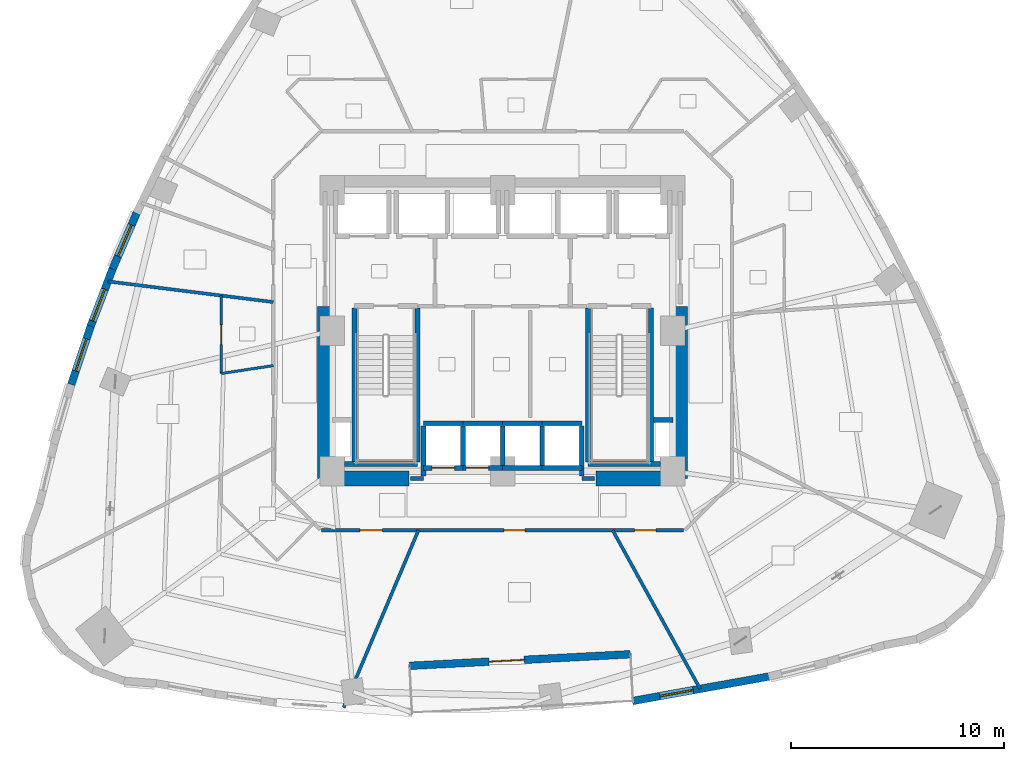
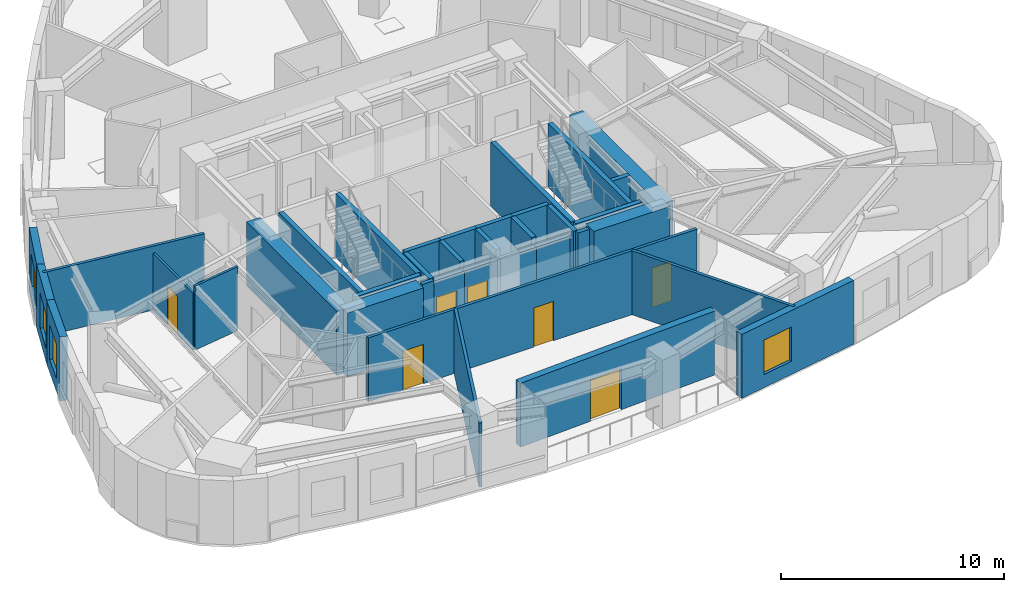
# One storey, part 5 of 11: 37 walls, 7 doors, 4 windows, 11 openings.
"""IFC4 building model written with IfcOpenShell, lengths in metres."""

from ifc_helpers import new_model, si_unit, direction, frame, frame_2d, origin, place, context, subcontext, project, spatial, rectangle, extrude, material, layer, layer_set, type_object, element, fill, save


model = new_model("IFC4")

# Units and contexts
model_context = context("Model", 3, precision=1e-05, world=origin(), true_north=direction((0.0, 1.0)))
body_context = subcontext(model_context, "Body", "Model", "MODEL_VIEW")
ifc_project = project(units=[si_unit("LENGTHUNIT", "METRE"), si_unit("AREAUNIT", "SQUARE_METRE"), si_unit("VOLUMEUNIT", "CUBIC_METRE"), si_unit("PLANEANGLEUNIT", "RADIAN"), si_unit("MASSUNIT", "GRAM", prefix="KILO")], contexts=[model_context])

# Site, building, storey
site_placement = place(None, origin())
site = spatial("IfcSite", under=ifc_project, at=site_placement, CompositionType="ELEMENT")
building_placement = place(site_placement, origin())
building = spatial("IfcBuilding", under=site, at=building_placement, Name="Ndelora Gate Hotel", CompositionType="ELEMENT")
storey_placement = place(building_placement, frame((0.0, 0.0, 41.75)))
storey = spatial("IfcBuildingStorey", under=building, at=storey_placement, Name="L09", CompositionType="ELEMENT", Elevation=41.75)

# Wall, opening, door
ifc_material_1 = material(Name="Clay Brick Masonry", Category="masonry")
ifc_layer_1 = layer(ifc_material_1, 0.360107421875)
ifc_layer_set_1 = layer_set([ifc_layer_1], Name="Clay Brick Masonry")
wall_type_1 = type_object("IfcWallType", Name="WL-BRICK-360", PredefinedType="SOLIDWALL", material=ifc_layer_set_1)
wall_1_placement = place(storey_placement, frame((6.004150390625, -15.20849609375, 0.0), z_axis=(0.0, 0.0, 1.0), x_axis=(-0.998630058509, -0.052325961458, 0.0)))
wall_1 = element("IfcWall", 1, at=wall_1_placement, inside=storey, type_object=wall_type_1, Name="L09 Sky-Garden Loggia Rear Brick Wall", PredefinedType="SOLIDWALL", context=body_context, shape_type="SweptSolid", body=[
    extrude(rectangle(XDim=10.39990234375, YDim=0.360107421875, at=frame_2d((5.199951171875, 0.0))), origin(), (0.0, 0.0, 1.0), 3.5),
])
opening_1_placement = place(wall_1_placement, frame((5.0, 0.0, 0.0)))
opening_1 = element("IfcOpeningElement", 2, at=opening_1_placement, cuts=wall_1, Name="Opening TD1", PredefinedType="OPENING", context=body_context, shape_type="SweptSolid", body=[
    extrude(rectangle(XDim=1.64990234375, YDim=2.25, at=frame_2d((0.824951171875, 1.125))), frame((0.0, 0.18994140625, 0.0), z_axis=(0.0, -1.0, 0.0), x_axis=(1.0, 0.0, 0.0)), (0.0, 0.0, 1.0), 0.380126953125),
])
ifc_material_2 = material(Name="Architectural Bronze Glazed Door", Category="metal")
door_type_1 = type_object("IfcDoorType", Name="DR-TER-1650", OperationType="DOUBLE_DOOR_SINGLE_SWING", PredefinedType="DOOR", material=ifc_material_2)
door_1_placement = place(opening_1_placement, origin())
door_1 = element("IfcDoor", 3, at=door_1_placement, inside=storey, type_object=door_type_1, Name="L09 Sky-Garden Terrace Double Door TD1", OperationType="DOUBLE_DOOR_SINGLE_SWING", OverallHeight=2.25, OverallWidth=1.64990234375, PredefinedType="DOOR", context=body_context, shape_type="SweptSolid", body=[
    extrude(rectangle(XDim=1.64990234375, YDim=2.25, at=frame_2d((0.824951171875, 1.125))), frame((0.0, 0.02490234375, 0.0), z_axis=(0.0, -1.0, 0.0), x_axis=(1.0, 0.0, 0.0)), (0.0, 0.0, 1.0), 0.050048828125),
])
fill(opening_1, door_1)

# Wall, opening, window
wall_2_placement = place(storey_placement, frame((-18.340576171875, 2.8994140625, 0.0), z_axis=(0.0, 0.0, 1.0), x_axis=(0.396050960204, 0.918228531969, 0.0)))
wall_2 = element("IfcWall", 4, at=wall_2_placement, inside=storey, type_object=wall_type_1, Name="L09 Tower Brick Pier-and-Spandrel Wall TWR-16", PredefinedType="SOLIDWALL", context=body_context, shape_type="SweptSolid", body=[
    extrude(rectangle(XDim=2.9150390625, YDim=0.360107421875, at=frame_2d((1.45751953125, 0.0))), origin(), (0.0, 0.0, 1.0), 3.5),
])
opening_2_placement = place(wall_2_placement, frame((0.657470703125, 0.0, 0.719970703125)))
opening_2 = element("IfcOpeningElement", 5, at=opening_2_placement, cuts=wall_2, Name="Opening W01", PredefinedType="OPENING", context=body_context, shape_type="SweptSolid", body=[
    extrude(rectangle(XDim=1.60009765625, YDim=1.8798828125, at=frame_2d((0.800048828125, 0.93994140625))), frame((0.0, 0.18994140625, 0.0), z_axis=(0.0, -1.0, 0.0), x_axis=(1.0, 0.0, 0.0)), (0.0, 0.0, 1.0), 0.380126953125),
])
ifc_material_3 = material(Name="Insulated Low-E Double Glazing in Bronze Aluminium Frame", Category="aluminium")
window_type_1 = type_object("IfcWindowType", Name="WN-DEEP-1600", PartitioningType="SINGLE_PANEL", PredefinedType="WINDOW", material=ifc_material_3)
window_1_placement = place(opening_2_placement, origin())
window_1 = element("IfcWindow", 6, at=window_1_placement, inside=storey, type_object=window_type_1, Name="L09 Deep-Set Brick-Pier Window W01", OverallHeight=1.8798828125, OverallWidth=1.60009765625, PartitioningType="SINGLE_PANEL", PredefinedType="WINDOW", context=body_context, shape_type="SweptSolid", body=[
    extrude(rectangle(XDim=1.60009765625, YDim=1.8798828125, at=frame_2d((0.800048828125, 0.93994140625))), frame((0.0, 0.030029296875, 0.0), z_axis=(0.0, -1.0, 0.0), x_axis=(1.0, 0.0, 0.0)), (0.0, 0.0, 1.0), 0.06005859375),
])
fill(opening_2, window_1)

wall_3_placement = place(storey_placement, frame((-19.365234375, 0.212890625, 0.0), z_axis=(0.0, 0.0, 1.0), x_axis=(0.356696268282, 0.934220408787, 0.0)))
wall_3 = element("IfcWall", 7, at=wall_3_placement, inside=storey, type_object=wall_type_1, Name="L09 Tower Brick Pier-and-Spandrel Wall TWR-17", PredefinedType="SOLIDWALL", context=body_context, shape_type="SweptSolid", body=[
    extrude(rectangle(XDim=2.92529296875, YDim=0.360107421875, at=frame_2d((1.462646484375, 0.0))), origin(), (0.0, 0.0, 1.0), 3.5),
])
opening_3_placement = place(wall_3_placement, frame((0.260009765625, 0.0, 0.719970703125)))
opening_3 = element("IfcOpeningElement", 8, at=opening_3_placement, cuts=wall_3, Name="Opening W03", PredefinedType="OPENING", context=body_context, shape_type="SweptSolid", body=[
    extrude(rectangle(XDim=1.60009765625, YDim=1.8798828125, at=frame_2d((0.800048828125, 0.93994140625))), frame((0.0, 0.18994140625, 0.0), z_axis=(0.0, -1.0, 0.0), x_axis=(1.0, 0.0, 0.0)), (0.0, 0.0, 1.0), 0.380126953125),
])
window_type_2 = type_object("IfcWindowType", Name="WN-CORN-2100", PartitioningType="SINGLE_PANEL", PredefinedType="WINDOW", material=ifc_material_3)
window_2_placement = place(opening_3_placement, origin())
window_2 = element("IfcWindow", 9, at=window_2_placement, inside=storey, type_object=window_type_2, Name="L09 Deep-Set Brick-Pier Window W03", OverallHeight=1.8798828125, OverallWidth=1.60009765625, PartitioningType="SINGLE_PANEL", PredefinedType="WINDOW", context=body_context, shape_type="SweptSolid", body=[
    extrude(rectangle(XDim=1.60009765625, YDim=1.8798828125, at=frame_2d((0.800048828125, 0.93994140625))), frame((0.0, 0.030029296875, 0.0), z_axis=(0.0, -1.0, 0.0), x_axis=(1.0, 0.0, 0.0)), (0.0, 0.0, 1.0), 0.06005859375),
])
fill(opening_3, window_2)

wall_4_placement = place(storey_placement, frame((-20.281005859375, -2.529052734375, 0.0), z_axis=(0.0, 0.0, 1.0), x_axis=(0.317124206319, 0.948384013871, 0.0)))
wall_4 = element("IfcWall", 10, at=wall_4_placement, inside=storey, type_object=wall_type_1, Name="L09 Tower Brick Pier-and-Spandrel Wall TWR-18", PredefinedType="SOLIDWALL", context=body_context, shape_type="SweptSolid", body=[
    extrude(rectangle(XDim=2.94091796875, YDim=0.360107421875, at=frame_2d((1.470458984375, 0.0))), origin(), (0.0, 0.0, 1.0), 3.5),
])
opening_4_placement = place(wall_4_placement, frame((0.67041015625, 0.0, 0.719970703125)))
opening_4 = element("IfcOpeningElement", 11, at=opening_4_placement, cuts=wall_4, Name="Opening W01", PredefinedType="OPENING", context=body_context, shape_type="SweptSolid", body=[
    extrude(rectangle(XDim=1.60009765625, YDim=1.8798828125, at=frame_2d((0.800048828125, 0.93994140625))), frame((0.0, 0.18994140625, 0.0), z_axis=(0.0, -1.0, 0.0), x_axis=(1.0, 0.0, 0.0)), (0.0, 0.0, 1.0), 0.380126953125),
])
window_3_placement = place(opening_4_placement, origin())
window_3 = element("IfcWindow", 12, at=window_3_placement, inside=storey, type_object=window_type_1, Name="L09 Deep-Set Brick-Pier Window W01", OverallHeight=1.8798828125, OverallWidth=1.60009765625, PartitioningType="SINGLE_PANEL", PredefinedType="WINDOW", context=body_context, shape_type="SweptSolid", body=[
    extrude(rectangle(XDim=1.60009765625, YDim=1.8798828125, at=frame_2d((0.800048828125, 0.93994140625))), frame((0.0, 0.030029296875, 0.0), z_axis=(0.0, -1.0, 0.0), x_axis=(1.0, 0.0, 0.0)), (0.0, 0.0, 1.0), 0.06005859375),
])
fill(opening_4, window_3)

wall_5_placement = place(storey_placement, frame((12.55712890625, -16.24853515625, 0.0), z_axis=(0.0, 0.0, 1.0), x_axis=(-0.984232555833, -0.176879269667, 0.0)))
wall_5 = element("IfcWall", 13, at=wall_5_placement, inside=storey, type_object=wall_type_1, Name="L09 Tower Brick Pier-and-Spandrel Wall TWR-36", PredefinedType="SOLIDWALL", context=body_context, shape_type="SweptSolid", body=[
    extrude(rectangle(XDim=6.56591796875, YDim=0.360107421875, at=frame_2d((3.282958984375, 0.0))), origin(), (0.0, 0.0, 1.0), 3.5),
])
opening_5_placement = place(wall_5_placement, frame((3.659912109375, 0.0, 0.719970703125)))
opening_5 = element("IfcOpeningElement", 14, at=opening_5_placement, cuts=wall_5, Name="Opening W01", PredefinedType="OPENING", context=body_context, shape_type="SweptSolid", body=[
    extrude(rectangle(XDim=1.60009765625, YDim=1.8798828125, at=frame_2d((0.800048828125, 0.93994140625))), frame((0.0, 0.18994140625, 0.0), z_axis=(0.0, -1.0, 0.0), x_axis=(1.0, 0.0, 0.0)), (0.0, 0.0, 1.0), 0.380126953125),
])
window_4_placement = place(opening_5_placement, origin())
window_4 = element("IfcWindow", 15, at=window_4_placement, inside=storey, type_object=window_type_1, Name="L09 Deep-Set Brick-Pier Window W01", OverallHeight=1.8798828125, OverallWidth=1.60009765625, PartitioningType="SINGLE_PANEL", PredefinedType="WINDOW", context=body_context, shape_type="SweptSolid", body=[
    extrude(rectangle(XDim=1.60009765625, YDim=1.8798828125, at=frame_2d((0.800048828125, 0.93994140625))), frame((0.0, 0.030029296875, 0.0), z_axis=(0.0, -1.0, 0.0), x_axis=(1.0, 0.0, 0.0)), (0.0, 0.0, 1.0), 0.06005859375),
])
fill(opening_5, window_4)

# Walls
ifc_material_4 = material(Name="Concrete C60/75", Category="concrete")
ifc_layer_2 = layer(ifc_material_4, 0.699951171875)
ifc_layer_set_2 = layer_set([ifc_layer_2], Name="Concrete C60/75")
wall_type_2 = type_object("IfcWallType", Name="WL-CORE-700", PredefinedType="SHEAR", material=ifc_layer_set_2)
for number, where, z_axis, x_axis, name in (
    (16, (-8.35009765625, -6.949951171875, 0.0), (0.0, 0.0, 1.0), (1.0, 0.0, 0.0), "L09 Core Shear Wall S-W"),
    (17, (4.39990234375, -6.949951171875, 0.0), (0.0, 0.0, 1.0), (1.0, 0.0, 0.0), "L09 Core Shear Wall S-E"),
):
    element("IfcWall", number, at=place(storey_placement, frame(where, z_axis=z_axis, x_axis=x_axis)), inside=storey, type_object=wall_type_2, Name=name, PredefinedType="SHEAR", context=body_context, shape_type="SweptSolid", body=[
        extrude(rectangle(XDim=3.9501953125, YDim=0.699951171875, at=frame_2d((1.97509765625, 0.0))), origin(), (0.0, 0.0, 1.0), 3.5),
    ])
for number, where, z_axis, x_axis, name in (
    (18, (-8.35009765625, -6.949951171875, 0.0), (0.0, 0.0, 1.0), (0.0, 1.0, 0.0), "L09 Core Shear Wall W"),
    (19, (8.35009765625, -6.949951171875, 0.0), (0.0, 0.0, 1.0), (0.0, 1.0, 0.0), "L09 Core Shear Wall E"),
):
    element("IfcWall", number, at=place(storey_placement, frame(where, z_axis=z_axis, x_axis=x_axis)), inside=storey, type_object=wall_type_2, Name=name, PredefinedType="SHEAR", context=body_context, shape_type="SweptSolid", body=[
        extrude(rectangle(XDim=8.099853515625, YDim=0.699951171875, at=frame_2d((4.0498046875, 0.0))), origin(), (0.0, 0.0, 1.0), 3.5),
    ])
ifc_material_5 = material(Name="Concrete C40/50", Category="concrete")
ifc_layer_3 = layer(ifc_material_5, 0.199951171875)
ifc_layer_set_3 = layer_set([ifc_layer_3], Name="Concrete C40/50")
wall_type_3 = type_object("IfcWallType", Name="WL-FIRE-200", PredefinedType="PARTITIONING", material=ifc_layer_set_3)
for number, where, z_axis, x_axis, name in (
    (20, (-4.320068359375, -6.949951171875, 0.0), (0.0, 0.0, 1.0), (1.0, 0.0, 0.0), "L09 Interior Wall IW-2"),
    (21, (3.719970703125, -6.949951171875, 0.0), (0.0, 0.0, 1.0), (1.0, 0.0, 0.0), "L09 Interior Wall IW-2"),
):
    element("IfcWall", number, at=place(storey_placement, frame(where, z_axis=z_axis, x_axis=x_axis)), inside=storey, type_object=wall_type_3, Name=name, PredefinedType="PARTITIONING", context=body_context, shape_type="SweptSolid", body=[
        extrude(rectangle(XDim=0.60009765625, YDim=0.199951171875, at=frame_2d((0.300048828125, 0.0))), origin(), (0.0, 0.0, 1.0), 3.5),
    ])

# Wall, openings, doors
ifc_material_6 = material(Name="Fire-Rated Gypsum Stud Partition", Category="gypsum")
ifc_layer_4 = layer(ifc_material_6, 0.14990234375)
ifc_layer_set_4 = layer_set([ifc_layer_4], Name="Fire-Rated Gypsum Stud Partition")
wall_type_4 = type_object("IfcWallType", Name="WL-PART-150", PredefinedType="PARTITIONING", material=ifc_layer_set_4)
wall_6_placement = place(storey_placement, frame((8.510009765625, -9.3798828125, 0.0), z_axis=(0.0, 0.0, 1.0), x_axis=(-1.0, 0.0, 0.0)))
wall_6 = element("IfcWall", 22, at=wall_6_placement, inside=storey, type_object=wall_type_4, Name="L09 Interior Wall IW-5", PredefinedType="PARTITIONING", context=body_context, shape_type="SweptSolid", body=[
    extrude(rectangle(XDim=17.02001953125, YDim=0.14990234375, at=frame_2d((8.510009765625, 0.0))), origin(), (0.0, 0.0, 1.0), 3.5),
])
opening_6_placement = place(wall_6_placement, frame((7.44775390625, 0.0, 0.0)))
opening_6 = element("IfcOpeningElement", 23, at=opening_6_placement, cuts=wall_6, Name="Opening D01", PredefinedType="OPENING", context=body_context, shape_type="SweptSolid", body=[
    extrude(rectangle(XDim=1.0, YDim=2.14990234375, at=frame_2d((0.5, 1.074951171875))), frame((0.0, 0.0849609375, 0.0), z_axis=(0.0, -1.0, 0.0), x_axis=(1.0, 0.0, 0.0)), (0.0, 0.0, 1.0), 0.169921875),
])
opening_7_placement = place(wall_6_placement, frame((1.30859375, 0.0, 0.0)))
opening_7 = element("IfcOpeningElement", 24, at=opening_7_placement, cuts=wall_6, Name="Opening D01", PredefinedType="OPENING", context=body_context, shape_type="SweptSolid", body=[
    extrude(rectangle(XDim=1.0, YDim=2.14990234375, at=frame_2d((0.5, 1.074951171875))), frame((0.0, 0.0849609375, 0.0), z_axis=(0.0, -1.0, 0.0), x_axis=(1.0, 0.0, 0.0)), (0.0, 0.0, 1.0), 0.169921875),
])
opening_8_placement = place(wall_6_placement, frame((14.163818359375, 0.0, 0.0)))
opening_8 = element("IfcOpeningElement", 25, at=opening_8_placement, cuts=wall_6, Name="Opening D07", PredefinedType="OPENING", context=body_context, shape_type="SweptSolid", body=[
    extrude(rectangle(XDim=1.06005859375, YDim=2.14990234375, at=frame_2d((0.530029296875, 1.074951171875))), frame((0.0, 0.0849609375, 0.0), z_axis=(0.0, -1.0, 0.0), x_axis=(1.0, 0.0, 0.0)), (0.0, 0.0, 1.0), 0.169921875),
])
ifc_material_7 = material(Name="Acoustic Hardwood Guest Entrance Door", Category="wood")
door_type_2 = type_object("IfcDoorType", Name="DR-COR-1000", OperationType="SINGLE_SWING_LEFT", PredefinedType="DOOR", material=ifc_material_7)
door_2_placement = place(opening_6_placement, origin())
door_2 = element("IfcDoor", 26, at=door_2_placement, inside=storey, type_object=door_type_2, Name="L09 Sky Garden Tea Dining Room Entrance Door", OperationType="SINGLE_SWING_LEFT", OverallHeight=2.14990234375, OverallWidth=1.0, PredefinedType="DOOR", context=body_context, shape_type="SweptSolid", body=[
    extrude(rectangle(XDim=1.0, YDim=2.14990234375, at=frame_2d((0.5, 1.074951171875))), frame((0.0, 0.02490234375, 0.0), z_axis=(0.0, -1.0, 0.0), x_axis=(1.0, 0.0, 0.0)), (0.0, 0.0, 1.0), 0.050048828125),
])
fill(opening_6, door_2)
door_3_placement = place(opening_7_placement, origin())
door_3 = element("IfcDoor", 27, at=door_3_placement, inside=storey, type_object=door_type_2, Name="L09 Business Study Office Entrance Door", OperationType="SINGLE_SWING_LEFT", OverallHeight=2.14990234375, OverallWidth=1.0, PredefinedType="DOOR", context=body_context, shape_type="SweptSolid", body=[
    extrude(rectangle(XDim=1.0, YDim=2.14990234375, at=frame_2d((0.5, 1.074951171875))), frame((0.0, 0.02490234375, 0.0), z_axis=(0.0, -1.0, 0.0), x_axis=(1.0, 0.0, 0.0)), (0.0, 0.0, 1.0), 0.050048828125),
])
fill(opening_7, door_3)
ifc_material_8 = material(Name="Diplomatic Suite Acoustic Entrance Door", Category="wood")
door_type_3 = type_object("IfcDoorType", Name="DR-SUITE-1060", OperationType="SINGLE_SWING_LEFT", PredefinedType="DOOR", material=ifc_material_8)
door_4_placement = place(opening_8_placement, origin())
door_4 = element("IfcDoor", 28, at=door_4_placement, inside=storey, type_object=door_type_3, Name="L09 Corner Diplomatic Suite 1202 Entrance Door", OperationType="SINGLE_SWING_LEFT", OverallHeight=2.14990234375, OverallWidth=1.06005859375, PredefinedType="DOOR", context=body_context, shape_type="SweptSolid", body=[
    extrude(rectangle(XDim=1.06005859375, YDim=2.14990234375, at=frame_2d((0.530029296875, 1.074951171875))), frame((0.0, 0.02490234375, 0.0), z_axis=(0.0, -1.0, 0.0), x_axis=(1.0, 0.0, 0.0)), (0.0, 0.0, 1.0), 0.050048828125),
])
fill(opening_8, door_4)

# Walls
wall_7_placement = place(storey_placement, frame((-10.780029296875, 1.347412109375, 0.0), z_axis=(0.0, 0.0, 1.0), x_axis=(-0.992276439596, 0.124046230988, 0.0)))
element("IfcWall", 29, at=wall_7_placement, inside=storey, type_object=wall_type_4, Name="L09 Interior Wall IW-5", PredefinedType="PARTITIONING", context=body_context, shape_type="SweptSolid", body=[
    extrude(rectangle(XDim=7.841064453125, YDim=0.14990234375, at=frame_2d((3.92041015625, 0.0))), origin(), (0.0, 0.0, 1.0), 3.5),
])
wall_8_placement = place(storey_placement, frame((-3.95751953125, -9.3798828125, 0.0), z_axis=(0.0, 0.0, 1.0), x_axis=(-0.388727710855, -0.921352683185, 0.0)))
element("IfcWall", 30, at=wall_8_placement, inside=storey, type_object=wall_type_4, Name="L09 Interior Wall IW-5", PredefinedType="PARTITIONING", context=body_context, shape_type="SweptSolid", body=[
    extrude(rectangle(XDim=9.04638671875, YDim=0.14990234375, at=frame_2d((4.523193359375, 0.0))), origin(), (0.0, 0.0, 1.0), 3.5),
])
wall_9_placement = place(storey_placement, frame((5.172607421875, -9.3798828125, 0.0), z_axis=(0.0, 0.0, 1.0), x_axis=(0.482894673272, -0.875678442424, 0.0)))
element("IfcWall", 31, at=wall_9_placement, inside=storey, type_object=wall_type_4, Name="L09 Interior Wall IW-5", PredefinedType="PARTITIONING", context=body_context, shape_type="SweptSolid", body=[
    extrude(rectangle(XDim=8.515380859375, YDim=0.14990234375, at=frame_2d((4.2578125, 0.0))), origin(), (0.0, 0.0, 1.0), 3.5),
])
ifc_layer_5 = layer(ifc_material_5, 0.219970703125)
ifc_layer_set_5 = layer_set([ifc_layer_5], Name="Concrete C40/50")
wall_type_5 = type_object("IfcWallType", Name="WL-SHAFT-220", PredefinedType="PARTITIONING", material=ifc_layer_set_5)
wall_10_placement = place(storey_placement, frame((7.090087890625, -4.199951171875, 0.0), z_axis=(0.0, 0.0, 1.0), x_axis=(1.0, 0.0, 0.0)))
element("IfcWall", 32, at=wall_10_placement, inside=storey, type_object=wall_type_5, Name="L09 Interior Wall IW-1", PredefinedType="PARTITIONING", context=body_context, shape_type="SweptSolid", body=[
    extrude(rectangle(XDim=0.909912109375, YDim=0.219970703125, at=frame_2d((0.455078125, 0.0))), origin(), (0.0, 0.0, 1.0), 3.5),
])

# Wall, opening, door
wall_11_placement = place(storey_placement, frame((-3.719970703125, -6.449951171875, 0.0), z_axis=(0.0, 0.0, 1.0), x_axis=(1.0, 0.0, 0.0)))
wall_11 = element("IfcWall", 33, at=wall_11_placement, inside=storey, type_object=wall_type_5, Name="L09 Interior Wall IW-1", PredefinedType="PARTITIONING", context=body_context, shape_type="SweptSolid", body=[
    extrude(rectangle(XDim=1.85986328125, YDim=0.219970703125, at=frame_2d((0.929931640625, 0.0))), origin(), (0.0, 0.0, 1.0), 3.080078125),
])
opening_9_placement = place(wall_11_placement, frame((0.39990234375, 0.0, 0.0)))
opening_9 = element("IfcOpeningElement", 34, at=opening_9_placement, cuts=wall_11, Name="Opening LD1", PredefinedType="OPENING", context=body_context, shape_type="SweptSolid", body=[
    extrude(rectangle(XDim=1.06005859375, YDim=2.14990234375, at=frame_2d((0.530029296875, 1.074951171875))), frame((0.0, 0.1201171875, 0.0), z_axis=(0.0, -1.0, 0.0), x_axis=(1.0, 0.0, 0.0)), (0.0, 0.0, 1.0), 0.239990234375),
])
ifc_material_9 = material(Name="Brushed Bronze Stainless Lift Landing Door", Category="metal")
door_type_4 = type_object("IfcDoorType", Name="DR-LD1", OperationType="DOUBLE_DOOR_SLIDING", PredefinedType="DOOR", material=ifc_material_9)
door_5_placement = place(opening_9_placement, origin())
door_5 = element("IfcDoor", 35, at=door_5_placement, inside=storey, type_object=door_type_4, Name="L09 Lift Landing Sliding Door P1A", OperationType="DOUBLE_DOOR_SLIDING", OverallHeight=2.14990234375, OverallWidth=1.06005859375, PredefinedType="DOOR", context=body_context, shape_type="SweptSolid", body=[
    extrude(rectangle(XDim=1.06005859375, YDim=2.14990234375, at=frame_2d((0.530029296875, 1.074951171875))), frame((0.0, 0.02490234375, 0.0), z_axis=(0.0, -1.0, 0.0), x_axis=(1.0, 0.0, 0.0)), (0.0, 0.0, 1.0), 0.050048828125),
])
fill(opening_9, door_5)

# Walls
wall_12_placement = place(storey_placement, frame((-3.719970703125, -4.35009765625, 0.0), z_axis=(0.0, 0.0, 1.0), x_axis=(1.0, 0.0, 0.0)))
element("IfcWall", 36, at=wall_12_placement, inside=storey, type_object=wall_type_5, Name="L09 Interior Wall IW-1", PredefinedType="PARTITIONING", context=body_context, shape_type="SweptSolid", body=[
    extrude(rectangle(XDim=1.85986328125, YDim=0.219970703125, at=frame_2d((0.929931640625, 0.0))), origin(), (0.0, 0.0, 1.0), 3.5),
])
wall_13_placement = place(storey_placement, frame((-3.719970703125, -6.830078125, 0.0), z_axis=(0.0, 0.0, 1.0), x_axis=(0.0, 1.0, 0.0)))
element("IfcWall", 37, at=wall_13_placement, inside=storey, type_object=wall_type_5, Name="L09 Interior Wall IW-1", PredefinedType="PARTITIONING", context=body_context, shape_type="SweptSolid", body=[
    extrude(rectangle(XDim=2.360107421875, YDim=0.219970703125, at=frame_2d((1.18017578125, 0.0))), origin(), (0.0, 0.0, 1.0), 3.5),
])
wall_14_placement = place(storey_placement, frame((-1.860107421875, -6.330078125, 0.0), z_axis=(0.0, 0.0, 1.0), x_axis=(0.0, 1.0, 0.0)))
element("IfcWall", 38, at=wall_14_placement, inside=storey, type_object=wall_type_5, Name="L09 Interior Wall IW-1", PredefinedType="PARTITIONING", context=body_context, shape_type="SweptSolid", body=[
    extrude(rectangle(XDim=1.860107421875, YDim=0.219970703125, at=frame_2d((0.93017578125, 0.0))), origin(), (0.0, 0.0, 1.0), 3.5),
])

# Wall, opening, door
wall_15_placement = place(storey_placement, frame((-1.860107421875, -6.449951171875, 0.0), z_axis=(0.0, 0.0, 1.0), x_axis=(1.0, 0.0, 0.0)))
wall_15 = element("IfcWall", 39, at=wall_15_placement, inside=storey, type_object=wall_type_5, Name="L09 Interior Wall IW-1", PredefinedType="PARTITIONING", context=body_context, shape_type="SweptSolid", body=[
    extrude(rectangle(XDim=1.860107421875, YDim=0.219970703125, at=frame_2d((0.93017578125, 0.0))), origin(), (0.0, 0.0, 1.0), 3.080078125),
])
opening_10_placement = place(wall_15_placement, frame((0.139892578125, 0.0, 0.0)))
opening_10 = element("IfcOpeningElement", 40, at=opening_10_placement, cuts=wall_15, Name="Opening LD1", PredefinedType="OPENING", context=body_context, shape_type="SweptSolid", body=[
    extrude(rectangle(XDim=1.06005859375, YDim=2.14990234375, at=frame_2d((0.530029296875, 1.074951171875))), frame((0.0, 0.1201171875, 0.0), z_axis=(0.0, -1.0, 0.0), x_axis=(1.0, 0.0, 0.0)), (0.0, 0.0, 1.0), 0.239990234375),
])
door_6_placement = place(opening_10_placement, origin())
door_6 = element("IfcDoor", 41, at=door_6_placement, inside=storey, type_object=door_type_4, Name="L09 Lift Landing Sliding Door P1B", OperationType="DOUBLE_DOOR_SLIDING", OverallHeight=2.14990234375, OverallWidth=1.06005859375, PredefinedType="DOOR", context=body_context, shape_type="SweptSolid", body=[
    extrude(rectangle(XDim=1.06005859375, YDim=2.14990234375, at=frame_2d((0.530029296875, 1.074951171875))), frame((0.0, 0.02490234375, 0.0), z_axis=(0.0, -1.0, 0.0), x_axis=(1.0, 0.0, 0.0)), (0.0, 0.0, 1.0), 0.050048828125),
])
fill(opening_10, door_6)

# Walls
for number, where, z_axis, x_axis, name in (
    (42, (-1.860107421875, -4.35009765625, 0.0), (0.0, 0.0, 1.0), (1.0, 0.0, 0.0), "L09 Interior Wall IW-1"),
    (43, (0.0, -6.330078125, 0.0), (0.0, 0.0, 1.0), (0.0, 1.0, 0.0), "L09 Interior Wall IW-1"),
):
    element("IfcWall", number, at=place(storey_placement, frame(where, z_axis=z_axis, x_axis=x_axis)), inside=storey, type_object=wall_type_5, Name=name, PredefinedType="PARTITIONING", context=body_context, shape_type="SweptSolid", body=[
        extrude(rectangle(XDim=1.860107421875, YDim=0.219970703125, at=frame_2d((0.93017578125, 0.0))), origin(), (0.0, 0.0, 1.0), 3.5),
    ])
wall_16_placement = place(storey_placement, frame((0.0, -6.449951171875, 0.0), z_axis=(0.0, 0.0, 1.0), x_axis=(1.0, 0.0, 0.0)))
element("IfcWall", 44, at=wall_16_placement, inside=storey, type_object=wall_type_5, Name="L09 Interior Wall IW-1", PredefinedType="PARTITIONING", context=body_context, shape_type="SweptSolid", body=[
    extrude(rectangle(XDim=1.860107421875, YDim=0.219970703125, at=frame_2d((0.93017578125, 0.0))), origin(), (0.0, 0.0, 1.0), 3.080078125),
])
for number, where, z_axis, x_axis, name in (
    (45, (0.0, -4.35009765625, 0.0), (0.0, 0.0, 1.0), (1.0, 0.0, 0.0), "L09 Interior Wall IW-1"),
    (46, (1.860107421875, -6.330078125, 0.0), (0.0, 0.0, 1.0), (0.0, 1.0, 0.0), "L09 Interior Wall IW-1"),
):
    element("IfcWall", number, at=place(storey_placement, frame(where, z_axis=z_axis, x_axis=x_axis)), inside=storey, type_object=wall_type_5, Name=name, PredefinedType="PARTITIONING", context=body_context, shape_type="SweptSolid", body=[
        extrude(rectangle(XDim=1.860107421875, YDim=0.219970703125, at=frame_2d((0.93017578125, 0.0))), origin(), (0.0, 0.0, 1.0), 3.5),
    ])
wall_17_placement = place(storey_placement, frame((1.860107421875, -6.449951171875, 0.0), z_axis=(0.0, 0.0, 1.0), x_axis=(1.0, 0.0, 0.0)))
element("IfcWall", 47, at=wall_17_placement, inside=storey, type_object=wall_type_5, Name="L09 Interior Wall IW-1", PredefinedType="PARTITIONING", context=body_context, shape_type="SweptSolid", body=[
    extrude(rectangle(XDim=1.85986328125, YDim=0.219970703125, at=frame_2d((0.929931640625, 0.0))), origin(), (0.0, 0.0, 1.0), 3.080078125),
])
wall_18_placement = place(storey_placement, frame((1.860107421875, -4.35009765625, 0.0), z_axis=(0.0, 0.0, 1.0), x_axis=(1.0, 0.0, 0.0)))
element("IfcWall", 48, at=wall_18_placement, inside=storey, type_object=wall_type_5, Name="L09 Interior Wall IW-1", PredefinedType="PARTITIONING", context=body_context, shape_type="SweptSolid", body=[
    extrude(rectangle(XDim=1.85986328125, YDim=0.219970703125, at=frame_2d((0.929931640625, 0.0))), origin(), (0.0, 0.0, 1.0), 3.5),
])
wall_19_placement = place(storey_placement, frame((3.719970703125, -6.830078125, 0.0), z_axis=(0.0, 0.0, 1.0), x_axis=(0.0, 1.0, 0.0)))
element("IfcWall", 49, at=wall_19_placement, inside=storey, type_object=wall_type_5, Name="L09 Interior Wall IW-1", PredefinedType="PARTITIONING", context=body_context, shape_type="SweptSolid", body=[
    extrude(rectangle(XDim=2.360107421875, YDim=0.219970703125, at=frame_2d((1.18017578125, 0.0))), origin(), (0.0, 0.0, 1.0), 3.5),
])
ifc_material_10 = material(Name="Concrete C50/60", Category="concrete")
ifc_layer_6 = layer(ifc_material_10, 0.239990234375)
ifc_layer_set_6 = layer_set([ifc_layer_6], Name="Concrete C50/60")
wall_type_6 = type_object("IfcWallType", Name="WL-STAIR-240", PredefinedType="SHEAR", material=ifc_layer_set_6)
wall_20_placement = place(storey_placement, frame((-6.969970703125, -6.159912109375, 0.0), z_axis=(0.0, 0.0, 1.0), x_axis=(0.0, 1.0, 0.0)))
element("IfcWall", 50, at=wall_20_placement, inside=storey, type_object=wall_type_6, Name="L09 Stair Core Shear Wall SW-ST", PredefinedType="SHEAR", context=body_context, shape_type="SweptSolid", body=[
    extrude(rectangle(XDim=7.219970703125, YDim=0.239990234375, at=frame_2d((3.60986328125, 0.0))), origin(), (0.0, 0.0, 1.0), 3.5),
])
wall_21_placement = place(storey_placement, frame((-7.425048828125, -6.27001953125, 0.0), z_axis=(0.0, 0.0, 1.0), x_axis=(1.0, 0.0, 0.0)))
element("IfcWall", 51, at=wall_21_placement, inside=storey, type_object=wall_type_6, Name="L09 Stair Core Shear Wall SW-ST", PredefinedType="SHEAR", context=body_context, shape_type="SweptSolid", body=[
    extrude(rectangle(XDim=3.4150390625, YDim=0.239990234375, at=frame_2d((1.70751953125, 0.0))), origin(), (0.0, 0.0, 1.0), 3.5),
])
for number, where, z_axis, x_axis, name in (
    (52, (-4.010009765625, -6.159912109375, 0.0), (0.0, 0.0, 1.0), (0.0, 1.0, 0.0), "L09 Stair Core Shear Wall SW-ST"),
    (53, (4.010009765625, -6.159912109375, 0.0), (0.0, 0.0, 1.0), (0.0, 1.0, 0.0), "L09 Stair Core Shear Wall SW-ST"),
    (54, (6.969970703125, -6.159912109375, 0.0), (0.0, 0.0, 1.0), (0.0, 1.0, 0.0), "L09 Stair Core Shear Wall SW-ST"),
):
    element("IfcWall", number, at=place(storey_placement, frame(where, z_axis=z_axis, x_axis=x_axis)), inside=storey, type_object=wall_type_6, Name=name, PredefinedType="SHEAR", context=body_context, shape_type="SweptSolid", body=[
        extrude(rectangle(XDim=7.219970703125, YDim=0.239990234375, at=frame_2d((3.60986328125, 0.0))), origin(), (0.0, 0.0, 1.0), 3.5),
    ])
wall_22_placement = place(storey_placement, frame((4.010009765625, -6.27001953125, 0.0), z_axis=(0.0, 0.0, 1.0), x_axis=(1.0, 0.0, 0.0)))
element("IfcWall", 55, at=wall_22_placement, inside=storey, type_object=wall_type_6, Name="L09 Stair Core Shear Wall SW-ST", PredefinedType="SHEAR", context=body_context, shape_type="SweptSolid", body=[
    extrude(rectangle(XDim=3.4150390625, YDim=0.239990234375, at=frame_2d((1.70751953125, 0.0))), origin(), (0.0, 0.0, 1.0), 3.5),
])
ifc_material_11 = material(Name="Moisture-Resistant Bathroom Tile Partition", Category="gypsum")
ifc_layer_7 = layer(ifc_material_11, 0.1201171875)
ifc_layer_set_7 = layer_set([ifc_layer_7], Name="Moisture-Resistant Bathroom Tile Partition")
wall_type_7 = type_object("IfcWallType", Name="WL-WET-120", PredefinedType="PARTITIONING", material=ifc_layer_set_7)
wall_23_placement = place(storey_placement, frame((-10.780029296875, -1.638671875, 0.0), z_axis=(0.0, 0.0, 1.0), x_axis=(-0.988634440282, -0.15033942759, 0.0)))
element("IfcWall", 56, at=wall_23_placement, inside=storey, type_object=wall_type_7, Name="L09 Interior Wall IW-7", PredefinedType="PARTITIONING", context=body_context, shape_type="SweptSolid", body=[
    extrude(rectangle(XDim=2.47802734375, YDim=0.1201171875, at=frame_2d((1.239013671875, 0.0))), origin(), (0.0, 0.0, 1.0), 3.5),
])

# Wall, opening, door
wall_24_placement = place(storey_placement, frame((-13.22998046875, -2.01123046875, 0.0), z_axis=(0.0, 0.0, 1.0), x_axis=(0.0, 1.0, 0.0)))
wall_24 = element("IfcWall", 57, at=wall_24_placement, inside=storey, type_object=wall_type_7, Name="L09 Interior Wall IW-7", PredefinedType="PARTITIONING", context=body_context, shape_type="SweptSolid", body=[
    extrude(rectangle(XDim=3.6650390625, YDim=0.1201171875, at=frame_2d((1.83251953125, 0.0))), origin(), (0.0, 0.0, 1.0), 3.1201171875),
])
opening_11_placement = place(wall_24_placement, frame((1.37255859375, 0.0, 0.0)))
opening_11 = element("IfcOpeningElement", 58, at=opening_11_placement, cuts=wall_24, Name="Opening D03", PredefinedType="OPENING", context=body_context, shape_type="SweptSolid", body=[
    extrude(rectangle(XDim=0.919921875, YDim=2.10009765625, at=frame_2d((0.4599609375, 1.050048828125))), frame((0.0, 0.070068359375, 0.0), z_axis=(0.0, -1.0, 0.0), x_axis=(1.0, 0.0, 0.0)), (0.0, 0.0, 1.0), 0.14013671875),
])
ifc_material_12 = material(Name="Moisture-Resistant Hardwood En-Suite Door", Category="wood")
door_type_5 = type_object("IfcDoorType", Name="DR-BATH-920", OperationType="SINGLE_SWING_LEFT", PredefinedType="DOOR", material=ifc_material_12)
door_7_placement = place(opening_11_placement, origin())
door_7 = element("IfcDoor", 59, at=door_7_placement, inside=storey, type_object=door_type_5, Name="L09 En-suite Bathroom 1201 Door", OperationType="SINGLE_SWING_RIGHT", OverallHeight=2.10009765625, OverallWidth=0.919921875, PredefinedType="DOOR", context=body_context, shape_type="SweptSolid", body=[
    extrude(rectangle(XDim=0.919921875, YDim=2.10009765625, at=frame_2d((0.4599609375, 1.050048828125))), frame((0.0, 0.02490234375, 0.0), z_axis=(0.0, -1.0, 0.0), x_axis=(1.0, 0.0, 0.0)), (0.0, 0.0, 1.0), 0.050048828125),
])
fill(opening_11, door_7)

save(model, "model.ifc")
